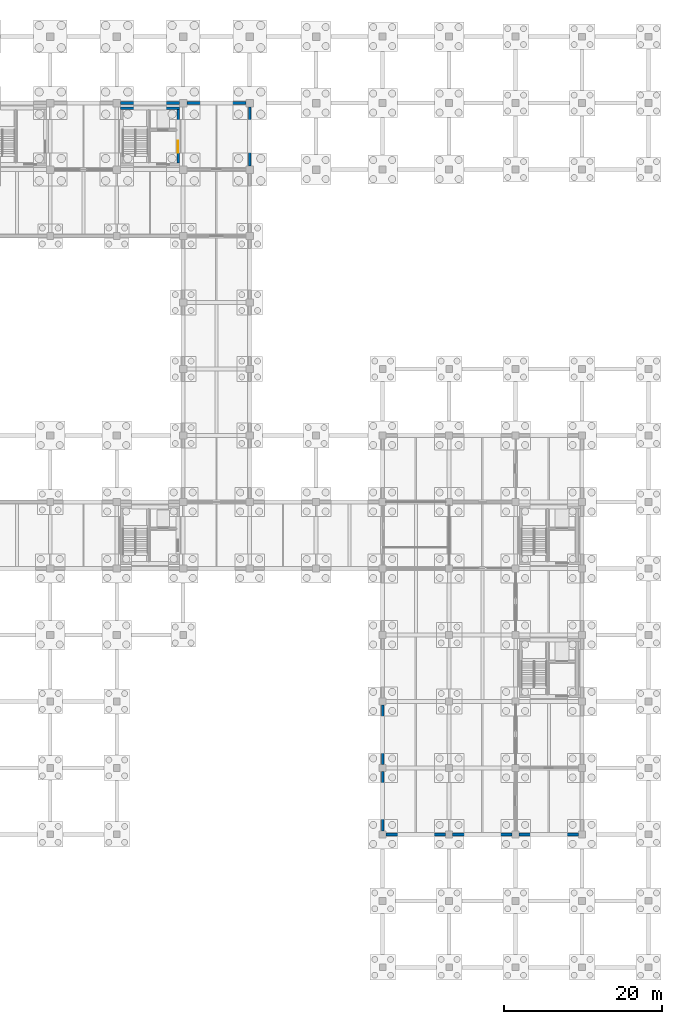
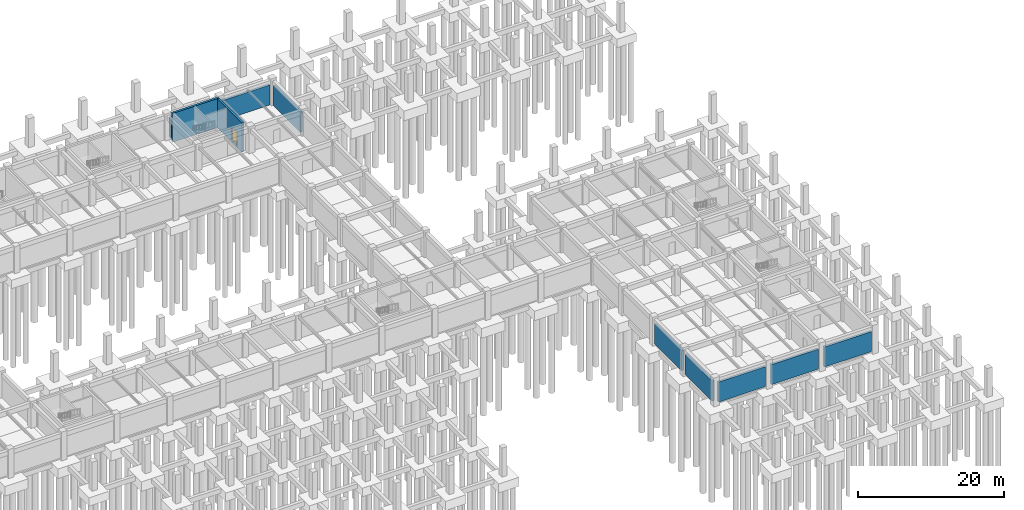
# One storey, part 23 of 29: 10 walls, 1 door, 1 opening.
"""IFC4 building model written with IfcOpenShell, lengths in metres."""

from ifc_helpers import new_model, si_unit, direction, frame, frame_2d, origin, place, context, subcontext, project, spatial, rectangle, extrude, material, layer, layer_set, type_object, element, fill, save


model = new_model("IFC4")

# Units and contexts
model_context = context("Model", 3, precision=1e-05, world=origin(), true_north=direction((0.0, 1.0)))
body_context = subcontext(model_context, "Body", "Model", "MODEL_VIEW")
ifc_project = project(units=[si_unit("LENGTHUNIT", "METRE"), si_unit("AREAUNIT", "SQUARE_METRE"), si_unit("VOLUMEUNIT", "CUBIC_METRE"), si_unit("PLANEANGLEUNIT", "RADIAN"), si_unit("MASSUNIT", "GRAM", prefix="KILO")], contexts=[model_context])

# Site, building, storey
site_placement = place(None, origin())
site = spatial("IfcSite", under=ifc_project, at=site_placement, CompositionType="ELEMENT")
building_placement = place(site_placement, origin())
building = spatial("IfcBuilding", under=site, at=building_placement, Name="Porcellanite Civic Hall", CompositionType="ELEMENT")
storey_placement = place(building_placement, frame((0.0, 0.0, -4.5)))
storey = spatial("IfcBuildingStorey", under=building, at=storey_placement, Name="B1", CompositionType="ELEMENT", Elevation=-4.5)

# Wall
ifc_material_1 = material(Name="Concrete N40 (40 MPa)", Category="concrete")
ifc_layer_1 = layer(ifc_material_1, 0.330078125)
ifc_layer_set_1 = layer_set([ifc_layer_1], Name="Concrete N40 (40 MPa)")
wall_type_1 = type_object("IfcWallType", Name="CW-SH330", PredefinedType="SHEAR", material=ifc_layer_set_1)
wall_1_placement = place(storey_placement, frame((109.679931640625, 108.554931640625, -0.35009765625), z_axis=(0.0, 0.0, 1.0), x_axis=(1.0, 0.0, 0.0)))
element("IfcWall", 1, at=wall_1_placement, inside=storey, type_object=wall_type_1, Name="Core wall C4 B1 N", PredefinedType="SHEAR", context=body_context, shape_type="SweptSolid", body=[
    extrude(rectangle(XDim=7.440185546875, YDim=0.330078125, at=frame_2d((3.72021484375, 0.0))), origin(), (0.0, 0.0, 1.0), 4.85009765625),
])

# Wall, opening, door
wall_2_placement = place(storey_placement, frame((116.955078125, 108.389892578125, -0.35009765625), z_axis=(0.0, 0.0, 1.0), x_axis=(0.0, -1.0, 0.0)))
wall_2 = element("IfcWall", 2, at=wall_2_placement, inside=storey, type_object=wall_type_1, Name="Core wall C4 B1 E", PredefinedType="SHEAR", context=body_context, shape_type="SweptSolid", body=[
    extrude(rectangle(XDim=6.77978515625, YDim=0.330078125, at=frame_2d((3.389892578125, 0.0))), origin(), (0.0, 0.0, 1.0), 4.85009765625),
])
opening_placement = place(wall_2_placement, frame((3.93994140625, 0.0, 0.35009765625)))
opening = element("IfcOpeningElement", 3, at=opening_placement, cuts=wall_2, Name="Opening FD-C4-B1-LB", PredefinedType="OPENING", context=body_context, shape_type="SweptSolid", body=[
    extrude(rectangle(XDim=1.5, YDim=2.14990234375, at=frame_2d((0.75, 1.074951171875))), frame((0.0, 0.1650390625, 0.0), z_axis=(0.0, -1.0, 0.0), x_axis=(1.0, 0.0, 0.0)), (0.0, 0.0, 1.0), 0.330078125),
])
ifc_material_2 = material(Name="Fire-rated steel and Georgian wired glass", Category="steel")
door_type = type_object("IfcDoorType", Name="DR-FD150", OperationType="DOUBLE_DOOR_SINGLE_SWING", PredefinedType="DOOR", material=ifc_material_2)
door_placement = place(opening_placement, origin())
door = element("IfcDoor", 4, at=door_placement, inside=storey, type_object=door_type, Name="Fire lobby double door FD-C4-B1-LB", OperationType="DOUBLE_DOOR_SINGLE_SWING", OverallHeight=2.14990234375, OverallWidth=1.5, PredefinedType="DOOR", context=body_context, shape_type="SweptSolid", body=[
    extrude(rectangle(XDim=1.5, YDim=2.14990234375, at=frame_2d((0.75, 1.074951171875))), frame((0.0, 0.02490234375, 0.0), z_axis=(0.0, -1.0, 0.0), x_axis=(1.0, 0.0, 0.0)), (0.0, 0.0, 1.0), 0.050048828125),
])
fill(opening, door)

# Walls
ifc_material_3 = material(Name="Concrete N40 (40 MPa)", Category="concrete")
ifc_layer_2 = layer(ifc_material_3, 0.35009765625)
ifc_layer_set_2 = layer_set([ifc_layer_2], Name="Concrete N40 (40 MPa)")
wall_type_2 = type_object("IfcWallType", Name="EW-BSM350", PredefinedType="SOLIDWALL", material=ifc_layer_set_2)
for number, where, z_axis, x_axis, name in (
    (5, (109.676025390625, 109.199951171875, 0.0), (0.0, 0.0, 1.0), (1.0, 0.0, 0.0), "Exterior wall B1 N 14-13"),
    (6, (118.075927734375, 109.199951171875, 0.0), (0.0, 0.0, 1.0), (1.0, 0.0, 0.0), "Exterior wall B1 N 15-13"),
):
    element("IfcWall", number, at=place(storey_placement, frame(where, z_axis=z_axis, x_axis=x_axis)), inside=storey, type_object=wall_type_2, Name=name, PredefinedType="SOLIDWALL", context=body_context, shape_type="SweptSolid", body=[
        extrude(rectangle(XDim=7.447998046875, YDim=0.35009765625, at=frame_2d((3.72412109375, 0.0))), origin(), (0.0, 0.0, 1.0), 3.35009765625),
    ])
wall_3_placement = place(storey_placement, frame((126.0, 108.72412109375, 0.0), z_axis=(0.0, 0.0, 1.0), x_axis=(0.0, -1.0, 0.0)))
element("IfcWall", 7, at=wall_3_placement, inside=storey, type_object=wall_type_2, Name="Exterior wall B1 E 15-13", PredefinedType="SOLIDWALL", context=body_context, shape_type="SweptSolid", body=[
    extrude(rectangle(XDim=7.4482421875, YDim=0.35009765625, at=frame_2d((3.72412109375, 0.0))), origin(), (0.0, 0.0, 1.0), 3.35009765625),
])
for number, where, z_axis, x_axis, name in (
    (8, (150.7490234375, 16.800048828125, 0.0), (0.0, 0.0, 1.0), (-1.0, 0.0, 0.0), "Exterior wall B1 S 18-3"),
    (9, (142.800048828125, 17.2509765625, 0.0), (0.0, 0.0, 1.0), (0.0, 1.0, 0.0), "Exterior wall B1 W 18-3"),
    (10, (142.800048828125, 25.65087890625, 0.0), (0.0, 0.0, 1.0), (0.0, 1.0, 0.0), "Exterior wall B1 W 18-4"),
    (11, (159.14892578125, 16.800048828125, 0.0), (0.0, 0.0, 1.0), (-1.0, 0.0, 0.0), "Exterior wall B1 S 19-3"),
    (12, (167.549072265625, 16.800048828125, 0.0), (0.0, 0.0, 1.0), (-1.0, 0.0, 0.0), "Exterior wall B1 S 20-3"),
):
    element("IfcWall", number, at=place(storey_placement, frame(where, z_axis=z_axis, x_axis=x_axis)), inside=storey, type_object=wall_type_2, Name=name, PredefinedType="SOLIDWALL", context=body_context, shape_type="SweptSolid", body=[
        extrude(rectangle(XDim=7.498046875, YDim=0.35009765625, at=frame_2d((3.7490234375, 0.0))), origin(), (0.0, 0.0, 1.0), 3.35009765625),
    ])

save(model, "model.ifc")
